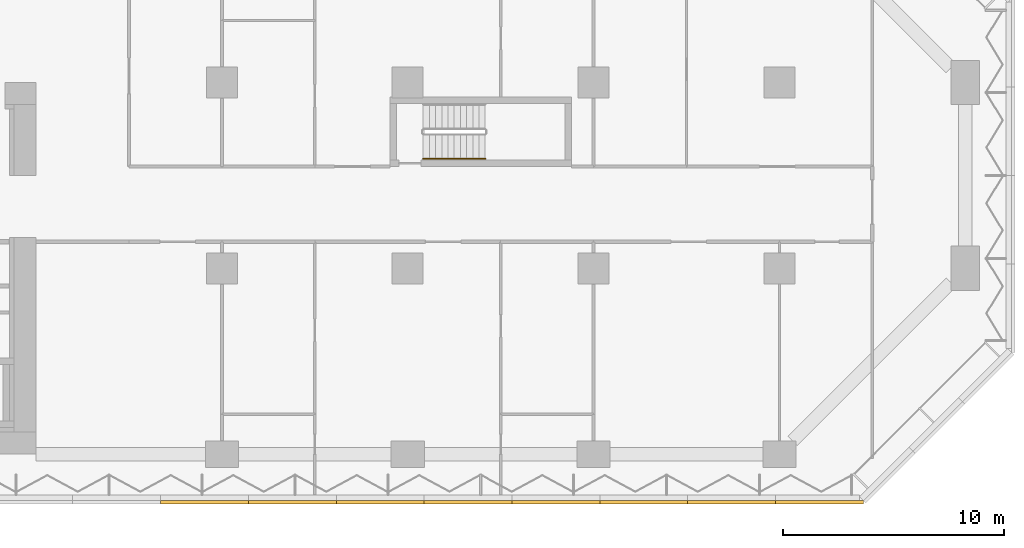
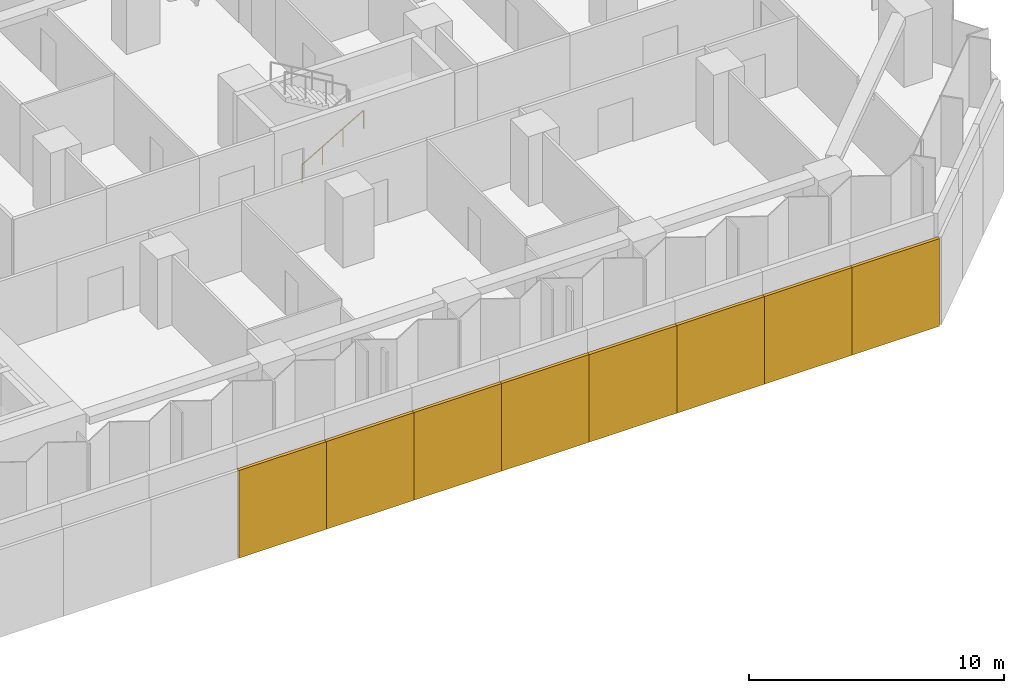
# One storey, part 20 of 24: 8 coverings, 1 railing.
"""IFC4 building model written with IfcOpenShell, lengths in metres."""

from ifc_helpers import new_model, si_unit, direction, frame, origin, origin_2d, place, context, subcontext, project, spatial, polyline, circle, outline, extrude, material, layer, layer_set, type_object, element, save


model = new_model("IFC4")

# Units and contexts
model_context = context("Model", 3, precision=1e-05, world=origin(), true_north=direction((0.0, 1.0)))
body_context = subcontext(model_context, "Body", "Model", "MODEL_VIEW")
ifc_project = project(units=[si_unit("LENGTHUNIT", "METRE"), si_unit("AREAUNIT", "SQUARE_METRE"), si_unit("VOLUMEUNIT", "CUBIC_METRE"), si_unit("PLANEANGLEUNIT", "RADIAN"), si_unit("MASSUNIT", "GRAM", prefix="KILO")], contexts=[model_context])

# Site, building, storey
site_placement = place(None, origin())
site = spatial("IfcSite", under=ifc_project, at=site_placement, CompositionType="ELEMENT")
building_placement = place(site_placement, origin())
building = spatial("IfcBuilding", under=site, at=building_placement, Name="Brevane Broadcast Tower", CompositionType="ELEMENT")
storey_placement = place(building_placement, frame((0.0, 0.0, 36.5)))
storey = spatial("IfcBuildingStorey", under=building, at=storey_placement, Name="L06", CompositionType="ELEMENT", Elevation=36.5)

# Coverings
ifc_material_1 = material(Name="Precast concrete C40/50", Category="concrete")
ifc_layer = layer(ifc_material_1, 0.14990234375)
ifc_layer_set = layer_set([ifc_layer], Name="CORNICE FASCIA CLADDING 4200")
covering_type = type_object("IfcCoveringType", Name="CORNICE FASCIA CLADDING 4200", PredefinedType="CLADDING", material=ifc_layer_set)
covering_1_placement = place(storey_placement, frame((0.0, 0.0, -4.199951171875)))
element("IfcCovering", 1, at=covering_1_placement, inside=storey, type_object=covering_type, Name="Cornice fascia", PredefinedType="CLADDING", context=body_context, shape_type="SweptSolid", body=[
    extrude(outline(polyline([(62.59716796875, -2.10009765625), (58.6259765625, -2.10009765625), (58.6259765625, -2.25), (62.59716796875, -2.25), (62.59716796875, -2.10009765625)])), origin(), (0.0, 0.0, 1.0), 4.199951171875),
])
covering_2_placement = place(storey_placement, frame((0.0, 0.0, -4.199951171875)))
element("IfcCovering", 2, at=covering_2_placement, inside=storey, type_object=covering_type, Name="Cornice fascia", PredefinedType="CLADDING", context=body_context, shape_type="SweptSolid", body=[
    extrude(outline(polyline([(58.6259765625, -2.10009765625), (54.655029296875, -2.10009765625), (54.655029296875, -2.25), (58.6259765625, -2.25), (58.6259765625, -2.10009765625)])), origin(), (0.0, 0.0, 1.0), 4.199951171875),
])
covering_3_placement = place(storey_placement, frame((0.0, 0.0, -4.199951171875)))
element("IfcCovering", 3, at=covering_3_placement, inside=storey, type_object=covering_type, Name="Cornice fascia", PredefinedType="CLADDING", context=body_context, shape_type="SweptSolid", body=[
    extrude(outline(polyline([(54.655029296875, -2.10009765625), (50.68408203125, -2.10009765625), (50.68408203125, -2.25), (54.655029296875, -2.25), (54.655029296875, -2.10009765625)])), origin(), (0.0, 0.0, 1.0), 4.199951171875),
])
covering_4_placement = place(storey_placement, frame((0.0, 0.0, -4.199951171875)))
element("IfcCovering", 4, at=covering_4_placement, inside=storey, type_object=covering_type, Name="Cornice fascia", PredefinedType="CLADDING", context=body_context, shape_type="SweptSolid", body=[
    extrude(outline(polyline([(50.68408203125, -2.10009765625), (46.712890625, -2.10009765625), (46.712890625, -2.25), (50.68408203125, -2.25), (50.68408203125, -2.10009765625)])), origin(), (0.0, 0.0, 1.0), 4.199951171875),
])
covering_5_placement = place(storey_placement, frame((0.0, 0.0, -4.199951171875)))
element("IfcCovering", 5, at=covering_5_placement, inside=storey, type_object=covering_type, Name="Cornice fascia", PredefinedType="CLADDING", context=body_context, shape_type="SweptSolid", body=[
    extrude(outline(polyline([(46.712890625, -2.10009765625), (42.741943359375, -2.10009765625), (42.741943359375, -2.25), (46.712890625, -2.25), (46.712890625, -2.10009765625)])), origin(), (0.0, 0.0, 1.0), 4.199951171875),
])
covering_6_placement = place(storey_placement, frame((0.0, 0.0, -4.199951171875)))
element("IfcCovering", 6, at=covering_6_placement, inside=storey, type_object=covering_type, Name="Cornice fascia", PredefinedType="CLADDING", context=body_context, shape_type="SweptSolid", body=[
    extrude(outline(polyline([(42.741943359375, -2.10009765625), (38.77099609375, -2.10009765625), (38.77099609375, -2.25), (42.741943359375, -2.25), (42.741943359375, -2.10009765625)])), origin(), (0.0, 0.0, 1.0), 4.199951171875),
])
covering_7_placement = place(storey_placement, frame((0.0, 0.0, -4.199951171875)))
element("IfcCovering", 7, at=covering_7_placement, inside=storey, type_object=covering_type, Name="Cornice fascia", PredefinedType="CLADDING", context=body_context, shape_type="SweptSolid", body=[
    extrude(outline(polyline([(38.77099609375, -2.10009765625), (34.800048828125, -2.10009765625), (34.800048828125, -2.25), (38.77099609375, -2.25), (38.77099609375, -2.10009765625)])), origin(), (0.0, 0.0, 1.0), 4.199951171875),
])
covering_8_placement = place(storey_placement, frame((0.0, 0.0, -4.199951171875)))
element("IfcCovering", 8, at=covering_8_placement, inside=storey, type_object=covering_type, Name="Cornice fascia", PredefinedType="CLADDING", context=body_context, shape_type="SweptSolid", body=[
    extrude(outline(polyline([(34.800048828125, -2.10009765625), (30.8291015625, -2.10009765625), (30.8291015625, -2.25), (34.800048828125, -2.25), (34.800048828125, -2.10009765625)])), origin(), (0.0, 0.0, 1.0), 4.199951171875),
])

# Railing
ifc_material_2 = material(Name="Steel S355", Category="steel")
railing_type = type_object("IfcRailingType", Name="Exit stair handrail", PredefinedType="HANDRAIL", material=ifc_material_2)
railing_placement = place(storey_placement, frame((42.699951171875, 13.35009765625, 0.16357421875)))
element("IfcRailing", 9, at=railing_placement, inside=storey, type_object=railing_type, Name="L06 ST-4 stair handrail 1", PredefinedType="HANDRAIL", context=body_context, shape_type="SweptSolid", body=[
    extrude(circle(Radius=0.02392578125, at=origin_2d()), frame((0.0, 0.0, 0.8759765625), z_axis=(0.863360870873, 0.0, 0.504586966384), x_axis=(0.0, 1.0, 0.0)), (0.0, 0.0, 1.0), 3.2431640625),
    extrude(circle(Radius=0.02099609375, at=origin_2d()), origin(), (0.0, 0.0, 1.0), 0.851806640625),
    extrude(circle(Radius=0.02099609375, at=origin_2d()), frame((0.933349609375, 0.0, 0.54541015625)), (0.0, 0.0, 1.0), 0.851806640625),
    extrude(circle(Radius=0.02099609375, at=origin_2d()), frame((1.86669921875, 0.0, 1.091064453125)), (0.0, 0.0, 1.0), 0.851806640625),
    extrude(circle(Radius=0.02099609375, at=origin_2d()), frame((2.800048828125, 0.0, 1.636474609375)), (0.0, 0.0, 1.0), 0.851806640625),
])

save(model, "model.ifc")
